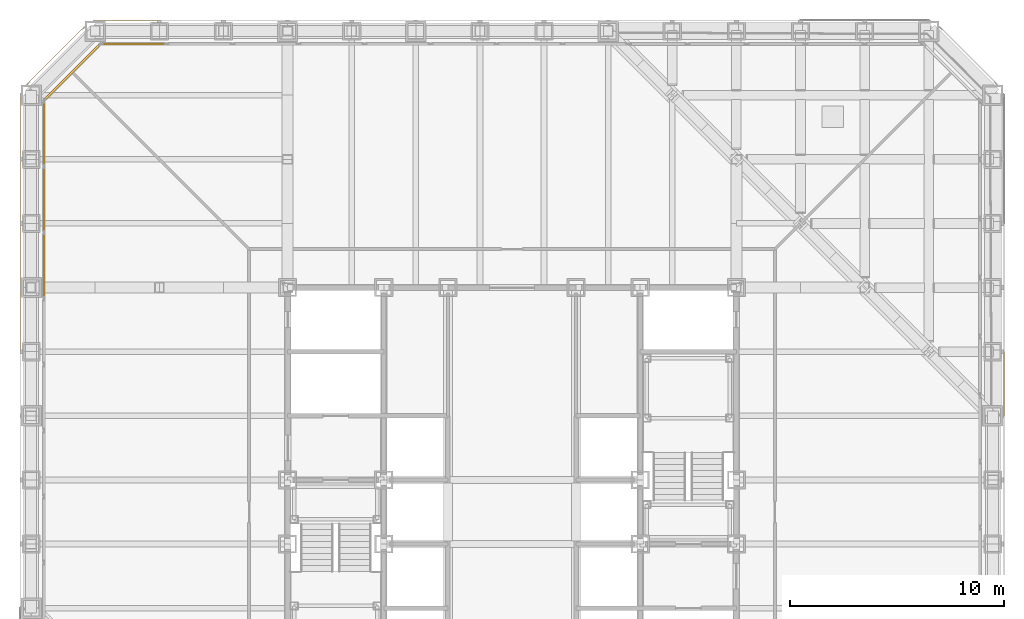
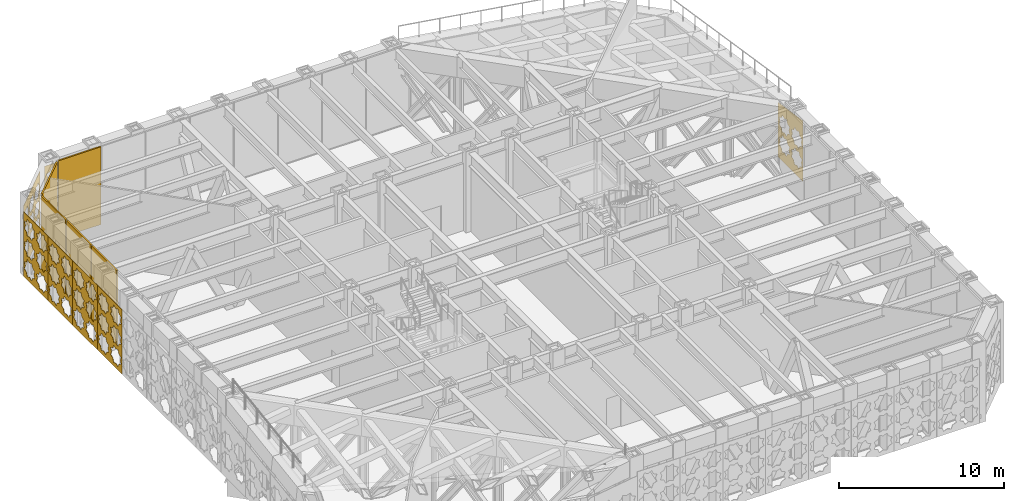
# One storey, part 28 of 31: 7 coverings, 5 shading devices, 3 elements without a shape of their own.
"""IFC4 building model written with IfcOpenShell, lengths in metres."""

import ifcopenshell
import ifcopenshell.guid

model = None  # the IFC model being written
_history = None  # IfcOwnerHistory: only IFC2X3 demands one
_inside = {}  # id of a spatial element -> (the spatial element, [elements in it])
_under = {}  # id of a project, library or spatial element -> (it, [spatial elements below it])
_declared = {}  # id of a project -> (the project, [libraries it declares])
_typed = {}  # id of a type object -> (the type object, [elements of that type])
_made_of = {}  # id of a material, layer set ... -> (it, [elements and type objects made of it])


def new_model(schema):
    """Start an empty IFC model of exactly this schema.

    Asked for "IFC4X3", IfcOpenShell would pick the latest addendum, in which some entities
    have other attributes; the version numbers below select the first issue.
    IFC2X3 requires an IfcOwnerHistory on every rooted entity: one is made here for all.
    """
    global model, _history
    if schema == "IFC4X3":
        model = ifcopenshell.file(schema_version=(4, 3, 0, 0))
    else:
        model = ifcopenshell.file(schema=schema)
    _inside.clear()
    _under.clear()
    _declared.clear()
    _typed.clear()
    _made_of.clear()
    _history = None
    if model.schema == "IFC2X3":
        org = make("IfcOrganization", Name="unknown")
        user = make(
            "IfcPersonAndOrganization",
            ThePerson=make("IfcPerson", FamilyName="unknown"),
            TheOrganization=org,
        )
        app = make(
            "IfcApplication",
            ApplicationDeveloper=org,
            Version="unknown",
            ApplicationFullName="unknown",
            ApplicationIdentifier="unknown",
        )
        _history = make(
            "IfcOwnerHistory",
            OwningUser=user,
            OwningApplication=app,
            ChangeAction="ADDED",
            CreationDate=0,
        )
    return model


def make(cls, **values):
    """One entity of the class cls with the attributes given. An attribute that is None is left unset."""
    return model.create_entity(
        cls, **{name: value for name, value in values.items() if value is not None}
    )


def rooted(cls, **values):
    """An entity with a GlobalId (a new one), such as an element, a storey or a relation."""
    return make(cls, GlobalId=ifcopenshell.guid.new(), OwnerHistory=_history, **values)


def si_unit(unit_type, name, prefix=None):
    """IfcSIUnit, for example si_unit("LENGTHUNIT", "METRE", prefix="MILLI")."""
    return make("IfcSIUnit", UnitType=unit_type, Prefix=prefix, Name=name)


def assignment(units):
    """IfcUnitAssignment: the units of a project."""
    return None if units is None else make("IfcUnitAssignment", Units=units)


def point(xyz):
    """IfcCartesianPoint."""
    return None if xyz is None else make("IfcCartesianPoint", Coordinates=xyz)


def direction(xyz):
    """IfcDirection."""
    return None if xyz is None else make("IfcDirection", DirectionRatios=xyz)


def frame(location, z_axis=None, x_axis=None):
    """IfcAxis2Placement3D, a coordinate frame: its origin and axes. An axis left out is left unset."""
    return make(
        "IfcAxis2Placement3D",
        Location=point(location),
        Axis=direction(z_axis),
        RefDirection=direction(x_axis),
    )


def frame_2d(location, x_axis=None):
    """IfcAxis2Placement2D, a coordinate frame in the plane: its origin and x axis."""
    return make(
        "IfcAxis2Placement2D", Location=point(location), RefDirection=direction(x_axis)
    )


def origin():
    """The frame at (0, 0, 0) with its axes left unset."""
    return frame((0.0, 0.0, 0.0))


def origin_2d():
    """The frame at (0, 0) in the plane with its x axis left unset."""
    return frame_2d((0.0, 0.0))


def place(relative_to, where):
    """IfcLocalPlacement: puts the frame where relative to a parent placement (None: the world)."""
    return make(
        "IfcLocalPlacement", PlacementRelTo=relative_to, RelativePlacement=where
    )


def context(
    kind, dimensions, precision=None, world=None, true_north=None, identifier=None
):
    """IfcGeometricRepresentationContext, for example the 3D "Model" context."""
    return make(
        "IfcGeometricRepresentationContext",
        ContextIdentifier=identifier,
        ContextType=kind,
        CoordinateSpaceDimension=dimensions,
        Precision=precision,
        WorldCoordinateSystem=world,
        TrueNorth=true_north,
    )


def subcontext(parent, identifier, kind, view, scale=None):
    """IfcGeometricRepresentationSubContext, for example "Body" below "Model"."""
    return make(
        "IfcGeometricRepresentationSubContext",
        ContextIdentifier=identifier,
        ContextType=kind,
        ParentContext=parent,
        TargetScale=scale,
        TargetView=view,
    )


def project(units=None, contexts=None):
    """IfcProject with its units and contexts."""
    return rooted(
        "IfcProject",
        Name="project",
        RepresentationContexts=contexts,
        UnitsInContext=assignment(units),
    )


def spatial(cls, under=None, at=None, **own):
    """A site, building, storey or space (cls), placed at a placement, below another one or the project."""
    s = rooted(cls, ObjectPlacement=at, **own)
    if under is not None:
        _under.setdefault(under.id(), (under, []))[1].append(s)
    return s


def polyline(points):
    """IfcPolyline through the points."""
    return make("IfcPolyline", Points=[point(p) for p in points])


def profile(cls, at=None, kind="AREA", **sizes):
    """A parametric profile (cls). Its sizes go by their IFC names, for example OverallWidth=200.0."""
    return make(cls, ProfileType=kind, Position=at, **sizes)


def rectangle(**sizes):
    """IfcRectangleProfileDef."""
    return profile("IfcRectangleProfileDef", **sizes)


def outline(outer, holes=None, kind="AREA"):
    """IfcArbitraryClosedProfileDef: a profile drawn as a closed curve; with holes, ...WithVoids."""
    if holes is None:
        return make("IfcArbitraryClosedProfileDef", ProfileType=kind, OuterCurve=outer)
    return make(
        "IfcArbitraryProfileDefWithVoids",
        ProfileType=kind,
        OuterCurve=outer,
        InnerCurves=holes,
    )


def extrude(swept, where, along, depth):
    """IfcExtrudedAreaSolid: the profile swept, set in the frame where, extruded along a direction by depth."""
    return make(
        "IfcExtrudedAreaSolid",
        SweptArea=swept,
        Position=where,
        ExtrudedDirection=direction(along),
        Depth=depth,
    )


def shape(context_of_items, identifier, shape_type, items):
    """IfcShapeRepresentation: the items that make up one representation, for example the "Body"."""
    return make(
        "IfcShapeRepresentation",
        ContextOfItems=context_of_items,
        RepresentationIdentifier=identifier,
        RepresentationType=shape_type,
        Items=items,
    )


def material(Name=None, Category=None):
    """IfcMaterial."""
    return make("IfcMaterial", Name=Name, Category=Category)


def layer(
    of_material, thickness, ventilated=None, Name=None, Category=None, Priority=None
):
    """IfcMaterialLayer: one layer of a wall or slab, of a material (None: an air gap)."""
    return make(
        "IfcMaterialLayer",
        Material=of_material,
        LayerThickness=thickness,
        IsVentilated=ventilated,
        Name=Name,
        Category=Category,
        Priority=Priority,
    )


def layer_set(layers, Name=None):
    """IfcMaterialLayerSet."""
    return make("IfcMaterialLayerSet", MaterialLayers=layers, LayerSetName=Name)


def made_of(thing, what):
    """Note that an element or type object is made of a material, layer set ...; save() writes the relation."""
    if what is not None:
        _made_of.setdefault(what.id(), (what, []))[1].append(thing)
    return thing


def type_object(cls, material=None, **own):
    """A type object (cls), such as IfcWallType, which elements share."""
    return made_of(rooted(cls, **own), material)


def element(
    cls,
    number,
    at=None,
    inside=None,
    cuts=None,
    type_object=None,
    material=None,
    context=None,
    identifier="Body",
    shape_type=None,
    held_by="IfcProductDefinitionShape",
    body=None,
    shapes=None,
    **own,
):
    """One element of the class cls, such as IfcWall. Its Tag is "e" and its number.

    at: its placement. inside: the storey or other place that contains it. cuts: it is an
    opening in that element (IfcRelVoidsElement). A single representation is given by context,
    identifier, shape_type and body (its items); several are given by shapes. held_by: the class
    of the entity that holds the representations. save() writes the other relations.
    """
    e = rooted(cls, Tag="e%d" % number, ObjectPlacement=at, **own)
    if body is not None:
        shapes = [shape(context, identifier, shape_type, body)]
    if shapes is not None:
        e.Representation = make(held_by, Representations=shapes)
    if inside is not None:
        _inside.setdefault(inside.id(), (inside, []))[1].append(e)
    if cuts is not None:
        rooted(
            "IfcRelVoidsElement", RelatingBuildingElement=cuts, RelatedOpeningElement=e
        )
    if type_object is not None:
        _typed.setdefault(type_object.id(), (type_object, []))[1].append(e)
    return made_of(e, material)


def aggregate(whole, parts):
    """IfcRelAggregates: a whole, such as a stair, and the parts it consists of."""
    return rooted("IfcRelAggregates", RelatingObject=whole, RelatedObjects=parts)


def save(model, path):
    """Write the relations noted so far, then the file.

    IfcRelAggregates (storeys below a building ...), IfcRelContainedInSpatialStructure (elements
    in a storey), IfcRelDefinesByType, IfcRelAssociatesMaterial and IfcRelDeclares: one each for
    every whole, place, type object, material and project.
    """
    for whole, parts in _under.values():
        aggregate(whole, parts)
    for where, things in _inside.values():
        rooted(
            "IfcRelContainedInSpatialStructure",
            RelatedElements=things,
            RelatingStructure=where,
        )
    for kind, things in _typed.values():
        rooted("IfcRelDefinesByType", RelatedObjects=things, RelatingType=kind)
    for what, things in _made_of.values():
        rooted("IfcRelAssociatesMaterial", RelatedObjects=things, RelatingMaterial=what)
    for by, libraries in _declared.values():
        rooted("IfcRelDeclares", RelatingContext=by, RelatedDefinitions=libraries)
    model.write(path)


model = new_model("IFC4")

# Units and contexts
model_context = context("Model", 3, precision=1e-05, world=origin(), true_north=direction((0.0, 1.0)))
body_context = subcontext(model_context, "Body", "Model", "MODEL_VIEW")
ifc_project = project(units=[si_unit("LENGTHUNIT", "METRE"), si_unit("AREAUNIT", "SQUARE_METRE"), si_unit("VOLUMEUNIT", "CUBIC_METRE"), si_unit("PLANEANGLEUNIT", "RADIAN"), si_unit("MASSUNIT", "GRAM", prefix="KILO")], contexts=[model_context])

# Site, building, storey
site_placement = place(None, origin())
site = spatial("IfcSite", under=ifc_project, at=site_placement, CompositionType="ELEMENT")
building_placement = place(site_placement, origin())
building = spatial("IfcBuilding", under=site, at=building_placement, Name="Chuquiago Exchange Tower", CompositionType="ELEMENT")
storey_placement = place(building_placement, frame((0.0, 0.0, 96.300048828125)))
storey = spatial("IfcBuildingStorey", under=building, at=storey_placement, Name="L20", CompositionType="ELEMENT", Elevation=96.300048828125)

# Curtain wall, shading device
ifc_material_1 = material(Name="Aluminium curtain wall system", Category="aluminium")
ifc_layer_1 = layer(ifc_material_1, 0.199951171875)
ifc_layer_set_1 = layer_set([ifc_layer_1], Name="CW6 plant floor louvre wall")
curtain_wall_type = type_object("IfcCurtainWallType", Name="CW6 plant floor louvre wall", PredefinedType="NOTDEFINED", material=ifc_layer_set_1)
curtain_wall_1_placement = place(storey_placement, origin())
curtain_wall_1 = element("IfcCurtainWall", 1, at=curtain_wall_1_placement, inside=storey, type_object=curtain_wall_type, Name="CW6 curtain wall L20", PredefinedType="NOTDEFINED")
ifc_material_2 = material(Name="Aluminium louvre", Category="aluminium")
ifc_layer_2 = layer(ifc_material_2, 0.10009765625)
ifc_layer_set_2 = layer_set([ifc_layer_2], Name="CW6-P louvre panel 100")
shading_device_type = type_object("IfcShadingDeviceType", Name="CW6-P louvre panel 100", PredefinedType="USERDEFINED", material=ifc_layer_set_2)
shading_device_1_placement = place(storey_placement, frame((4.811279296875, 44.39990234375, 0.0751953125), z_axis=(0.0, 0.0, 1.0), x_axis=(-1.0, 0.0, 0.0)))
shading_device_1 = element("IfcShadingDevice", 2, at=shading_device_1_placement, type_object=shading_device_type, Name="CW6 panel 8.1", ObjectType="LOUVER", PredefinedType="USERDEFINED", context=body_context, shape_type="SweptSolid", body=[
    extrude(rectangle(XDim=2.9755859375, YDim=0.10009765625, at=origin_2d()), origin(), (0.0, 0.0, 1.0), 5.764892578125),
])
aggregate(curtain_wall_1, [shading_device_1])

curtain_wall_2_placement = place(storey_placement, origin())
curtain_wall_2 = element("IfcCurtainWall", 3, at=curtain_wall_2_placement, inside=storey, type_object=curtain_wall_type, Name="CW6 curtain wall L20", PredefinedType="NOTDEFINED")
shading_device_2_placement = place(storey_placement, frame((1.92431640625, 43.07568359375, 0.0751953125), z_axis=(0.0, 0.0, 1.0), x_axis=(-0.707106781187, -0.707106781187, 0.0)))
shading_device_2 = element("IfcShadingDevice", 4, at=shading_device_2_placement, type_object=shading_device_type, Name="CW6 panel 1.1", ObjectType="LOUVER", PredefinedType="USERDEFINED", context=body_context, shape_type="SweptSolid", body=[
    extrude(rectangle(XDim=3.595458984375, YDim=0.10009765625, at=origin_2d()), origin(), (0.0, 0.0, 1.0), 5.764892578125),
])
aggregate(curtain_wall_2, [shading_device_2])

# Curtain wall, shading devices
curtain_wall_3_placement = place(storey_placement, origin())
curtain_wall_3 = element("IfcCurtainWall", 5, at=curtain_wall_3_placement, inside=storey, type_object=curtain_wall_type, Name="CW6 curtain wall L20", PredefinedType="NOTDEFINED")
shading_device_3_placement = place(storey_placement, frame((0.60009765625, 40.188720703125, 0.0751953125), z_axis=(0.0, 0.0, 1.0), x_axis=(0.0, -1.0, 0.0)))
shading_device_3 = element("IfcShadingDevice", 6, at=shading_device_3_placement, type_object=shading_device_type, Name="CW6 panel 1.1", ObjectType="LOUVER", PredefinedType="USERDEFINED", context=body_context, shape_type="SweptSolid", body=[
    extrude(rectangle(XDim=2.9755859375, YDim=0.10009765625, at=origin_2d()), origin(), (0.0, 0.0, 1.0), 5.764892578125),
])
shading_device_4_placement = place(storey_placement, frame((0.60009765625, 37.119384765625, 0.0751953125), z_axis=(0.0, 0.0, 1.0), x_axis=(0.0, -1.0, 0.0)))
shading_device_4 = element("IfcShadingDevice", 7, at=shading_device_4_placement, type_object=shading_device_type, Name="CW6 panel 2.1", ObjectType="LOUVER", PredefinedType="USERDEFINED", context=body_context, shape_type="SweptSolid", body=[
    extrude(rectangle(XDim=3.01318359375, YDim=0.10009765625, at=origin_2d()), origin(), (0.0, 0.0, 1.0), 5.764892578125),
])
shading_device_5_placement = place(storey_placement, frame((0.60009765625, 34.03125, 0.0751953125), z_axis=(0.0, 0.0, 1.0), x_axis=(0.0, -1.0, 0.0)))
shading_device_5 = element("IfcShadingDevice", 8, at=shading_device_5_placement, type_object=shading_device_type, Name="CW6 panel 3.1", ObjectType="LOUVER", PredefinedType="USERDEFINED", context=body_context, shape_type="SweptSolid", body=[
    extrude(rectangle(XDim=3.01318359375, YDim=0.10009765625, at=origin_2d()), origin(), (0.0, 0.0, 1.0), 5.764892578125),
])
aggregate(curtain_wall_3, [shading_device_3, shading_device_4, shading_device_5])

# Coverings
ifc_material_3 = material(Name="Anodised aluminium, pale", Category="aluminium")
ifc_layer_3 = layer(ifc_material_3, 0.02001953125)
ifc_layer_set_3 = layer_set([ifc_layer_3], Name="GC1 girih cladding panel 20")
covering_type_1 = type_object("IfcCoveringType", Name="GC1 girih cladding panel 20", PredefinedType="CLADDING", material=ifc_layer_set_3)
covering_1_placement = place(storey_placement, frame((45.5, 27.0048828125, 0.050048828125), z_axis=(0.0, 0.0, 1.0), x_axis=(0.0, 1.0, 0.0)))
element("IfcCovering", 9, at=covering_1_placement, inside=storey, type_object=covering_type_1, Name="Girih cladding panel L20 E 9", PredefinedType="CLADDING", context=body_context, shape_type="SweptSolid", body=[
    extrude(outline(polyline([(0.0, 0.0), (2.989990234375, 0.0), (2.989990234375, 4.0498046875), (0.0, 4.4990234375), (0.0, 0.0)]), holes=[polyline([(1.27392578125, 1.27734375), (1.3828125, 1.54052734375), (1.11962890625, 1.6494140625), (1.0107421875, 1.91259765625), (0.74755859375, 1.8037109375), (0.484375, 1.91259765625), (0.375244140625, 1.6494140625), (0.112060546875, 1.54052734375), (0.22119140625, 1.27734375), (0.112060546875, 1.01416015625), (0.375244140625, 0.9052734375), (0.484375, 0.64208984375), (0.74755859375, 0.7509765625), (1.0107421875, 0.64208984375), (1.11962890625, 0.9052734375), (1.3828125, 1.01416015625), (1.27392578125, 1.27734375)]), polyline([(2.768798828125, 1.27734375), (2.8779296875, 1.54052734375), (2.61474609375, 1.6494140625), (2.505615234375, 1.91259765625), (2.242431640625, 1.8037109375), (1.979248046875, 1.91259765625), (1.870361328125, 1.6494140625), (1.607177734375, 1.54052734375), (1.716064453125, 1.27734375), (1.607177734375, 1.01416015625), (1.870361328125, 0.9052734375), (1.979248046875, 0.64208984375), (2.242431640625, 0.7509765625), (2.505615234375, 0.64208984375), (2.61474609375, 0.9052734375), (2.8779296875, 1.01416015625), (2.768798828125, 1.27734375)]), polyline([(1.27392578125, 2.7724609375), (1.3828125, 3.035400390625), (1.11962890625, 3.14453125), (1.0107421875, 3.40771484375), (0.74755859375, 3.298583984375), (0.484375, 3.40771484375), (0.375244140625, 3.14453125), (0.112060546875, 3.035400390625), (0.22119140625, 2.7724609375), (0.112060546875, 2.50927734375), (0.375244140625, 2.400146484375), (0.484375, 2.136962890625), (0.74755859375, 2.24609375), (1.0107421875, 2.136962890625), (1.11962890625, 2.400146484375), (1.3828125, 2.50927734375), (1.27392578125, 2.7724609375)]), polyline([(2.768798828125, 2.7724609375), (2.8779296875, 3.035400390625), (2.61474609375, 3.14453125), (2.505615234375, 3.40771484375), (2.242431640625, 3.298583984375), (1.979248046875, 3.40771484375), (1.870361328125, 3.14453125), (1.607177734375, 3.035400390625), (1.716064453125, 2.7724609375), (1.607177734375, 2.50927734375), (1.870361328125, 2.400146484375), (1.979248046875, 2.136962890625), (2.242431640625, 2.24609375), (2.505615234375, 2.136962890625), (2.61474609375, 2.400146484375), (2.8779296875, 2.50927734375), (2.768798828125, 2.7724609375)])]), frame((0.0, 0.0, 0.0), z_axis=(0.0, -1.0, 0.0), x_axis=(1.0, 0.0, 0.0)), (0.0, 0.0, 1.0), 0.02001953125),
])
covering_2_placement = place(storey_placement, frame((5.9951171875, 45.5, 0.050048828125), z_axis=(0.0, 0.0, 1.0), x_axis=(-1.0, 0.0, 0.0)))
element("IfcCovering", 10, at=covering_2_placement, inside=storey, type_object=covering_type_1, Name="Girih cladding panel L20 N 13", PredefinedType="CLADDING", context=body_context, shape_type="SweptSolid", body=[
    extrude(outline(polyline([(0.0, 0.0), (2.989990234375, 0.0), (2.989990234375, 4.789794921875), (0.0, 4.789794921875), (0.0, 0.0)]), holes=[polyline([(1.27392578125, 0.89990234375), (1.3828125, 1.1630859375), (1.11962890625, 1.272216796875), (1.0107421875, 1.535400390625), (0.74755859375, 1.42626953125), (0.484375, 1.535400390625), (0.375244140625, 1.272216796875), (0.112060546875, 1.1630859375), (0.22119140625, 0.89990234375), (0.112060546875, 0.63671875), (0.375244140625, 0.527587890625), (0.484375, 0.264404296875), (0.74755859375, 0.37353515625), (1.0107421875, 0.264404296875), (1.11962890625, 0.527587890625), (1.3828125, 0.63671875), (1.27392578125, 0.89990234375)]), polyline([(2.768798828125, 0.89990234375), (2.8779296875, 1.1630859375), (2.61474609375, 1.272216796875), (2.505615234375, 1.535400390625), (2.242431640625, 1.42626953125), (1.979248046875, 1.535400390625), (1.870361328125, 1.272216796875), (1.607177734375, 1.1630859375), (1.716064453125, 0.89990234375), (1.607177734375, 0.63671875), (1.870361328125, 0.527587890625), (1.979248046875, 0.264404296875), (2.242431640625, 0.37353515625), (2.505615234375, 0.264404296875), (2.61474609375, 0.527587890625), (2.8779296875, 0.63671875), (2.768798828125, 0.89990234375)]), polyline([(1.27392578125, 2.39501953125), (1.3828125, 2.658203125), (1.11962890625, 2.76708984375), (1.0107421875, 3.0302734375), (0.74755859375, 2.92138671875), (0.484375, 3.0302734375), (0.375244140625, 2.76708984375), (0.112060546875, 2.658203125), (0.22119140625, 2.39501953125), (0.112060546875, 2.131591796875), (0.375244140625, 2.022705078125), (0.484375, 1.759521484375), (0.74755859375, 1.868408203125), (1.0107421875, 1.759521484375), (1.11962890625, 2.022705078125), (1.3828125, 2.131591796875), (1.27392578125, 2.39501953125)]), polyline([(2.768798828125, 2.39501953125), (2.8779296875, 2.658203125), (2.61474609375, 2.76708984375), (2.505615234375, 3.0302734375), (2.242431640625, 2.92138671875), (1.979248046875, 3.0302734375), (1.870361328125, 2.76708984375), (1.607177734375, 2.658203125), (1.716064453125, 2.39501953125), (1.607177734375, 2.131591796875), (1.870361328125, 2.022705078125), (1.979248046875, 1.759521484375), (2.242431640625, 1.868408203125), (2.505615234375, 1.759521484375), (2.61474609375, 2.022705078125), (2.8779296875, 2.131591796875), (2.768798828125, 2.39501953125)]), polyline([(1.27392578125, 3.889892578125), (1.3828125, 4.153076171875), (1.11962890625, 4.26220703125), (1.0107421875, 4.525390625), (0.74755859375, 4.416259765625), (0.484375, 4.525390625), (0.375244140625, 4.26220703125), (0.112060546875, 4.153076171875), (0.22119140625, 3.889892578125), (0.112060546875, 3.626708984375), (0.375244140625, 3.517822265625), (0.484375, 3.25439453125), (0.74755859375, 3.363525390625), (1.0107421875, 3.25439453125), (1.11962890625, 3.517822265625), (1.3828125, 3.626708984375), (1.27392578125, 3.889892578125)]), polyline([(2.768798828125, 3.889892578125), (2.8779296875, 4.153076171875), (2.61474609375, 4.26220703125), (2.505615234375, 4.525390625), (2.242431640625, 4.416259765625), (1.979248046875, 4.525390625), (1.870361328125, 4.26220703125), (1.607177734375, 4.153076171875), (1.716064453125, 3.889892578125), (1.607177734375, 3.626708984375), (1.870361328125, 3.517822265625), (1.979248046875, 3.25439453125), (2.242431640625, 3.363525390625), (2.505615234375, 3.25439453125), (2.61474609375, 3.517822265625), (2.8779296875, 3.626708984375), (2.768798828125, 3.889892578125)])]), frame((0.0, 0.0, 0.0), z_axis=(0.0, -1.0, 0.0), x_axis=(1.0, 0.0, 0.0)), (0.0, 0.0, 1.0), 0.02001953125),
])
covering_3_placement = place(storey_placement, frame((-0.5, 41.9951171875, 0.050048828125), z_axis=(0.0, 0.0, 1.0), x_axis=(0.0, -1.0, 0.0)))
element("IfcCovering", 11, at=covering_3_placement, inside=storey, type_object=covering_type_1, Name="Girih cladding panel L20 W 1", PredefinedType="CLADDING", context=body_context, shape_type="SweptSolid", body=[
    extrude(outline(polyline([(0.0, 0.0), (2.989990234375, 0.0), (2.989990234375, 4.789794921875), (0.0, 4.789794921875), (0.0, 0.0)]), holes=[polyline([(1.27392578125, 0.89990234375), (1.3828125, 1.1630859375), (1.11962890625, 1.272216796875), (1.0107421875, 1.535400390625), (0.74755859375, 1.42626953125), (0.484375, 1.535400390625), (0.375244140625, 1.272216796875), (0.112060546875, 1.1630859375), (0.22119140625, 0.89990234375), (0.112060546875, 0.63671875), (0.375244140625, 0.527587890625), (0.484375, 0.264404296875), (0.74755859375, 0.37353515625), (1.0107421875, 0.264404296875), (1.11962890625, 0.527587890625), (1.3828125, 0.63671875), (1.27392578125, 0.89990234375)]), polyline([(2.768798828125, 0.89990234375), (2.8779296875, 1.1630859375), (2.61474609375, 1.272216796875), (2.505615234375, 1.535400390625), (2.242431640625, 1.42626953125), (1.979248046875, 1.535400390625), (1.870361328125, 1.272216796875), (1.607177734375, 1.1630859375), (1.716064453125, 0.89990234375), (1.607177734375, 0.63671875), (1.870361328125, 0.527587890625), (1.979248046875, 0.264404296875), (2.242431640625, 0.37353515625), (2.505615234375, 0.264404296875), (2.61474609375, 0.527587890625), (2.8779296875, 0.63671875), (2.768798828125, 0.89990234375)]), polyline([(1.27392578125, 2.39501953125), (1.3828125, 2.658203125), (1.11962890625, 2.76708984375), (1.0107421875, 3.0302734375), (0.74755859375, 2.92138671875), (0.484375, 3.0302734375), (0.375244140625, 2.76708984375), (0.112060546875, 2.658203125), (0.22119140625, 2.39501953125), (0.112060546875, 2.131591796875), (0.375244140625, 2.022705078125), (0.484375, 1.759521484375), (0.74755859375, 1.868408203125), (1.0107421875, 1.759521484375), (1.11962890625, 2.022705078125), (1.3828125, 2.131591796875), (1.27392578125, 2.39501953125)]), polyline([(2.768798828125, 2.39501953125), (2.8779296875, 2.658203125), (2.61474609375, 2.76708984375), (2.505615234375, 3.0302734375), (2.242431640625, 2.92138671875), (1.979248046875, 3.0302734375), (1.870361328125, 2.76708984375), (1.607177734375, 2.658203125), (1.716064453125, 2.39501953125), (1.607177734375, 2.131591796875), (1.870361328125, 2.022705078125), (1.979248046875, 1.759521484375), (2.242431640625, 1.868408203125), (2.505615234375, 1.759521484375), (2.61474609375, 2.022705078125), (2.8779296875, 2.131591796875), (2.768798828125, 2.39501953125)]), polyline([(1.27392578125, 3.889892578125), (1.3828125, 4.153076171875), (1.11962890625, 4.26220703125), (1.0107421875, 4.525390625), (0.74755859375, 4.416259765625), (0.484375, 4.525390625), (0.375244140625, 4.26220703125), (0.112060546875, 4.153076171875), (0.22119140625, 3.889892578125), (0.112060546875, 3.626708984375), (0.375244140625, 3.517822265625), (0.484375, 3.25439453125), (0.74755859375, 3.363525390625), (1.0107421875, 3.25439453125), (1.11962890625, 3.517822265625), (1.3828125, 3.626708984375), (1.27392578125, 3.889892578125)]), polyline([(2.768798828125, 3.889892578125), (2.8779296875, 4.153076171875), (2.61474609375, 4.26220703125), (2.505615234375, 4.525390625), (2.242431640625, 4.416259765625), (1.979248046875, 4.525390625), (1.870361328125, 4.26220703125), (1.607177734375, 4.153076171875), (1.716064453125, 3.889892578125), (1.607177734375, 3.626708984375), (1.870361328125, 3.517822265625), (1.979248046875, 3.25439453125), (2.242431640625, 3.363525390625), (2.505615234375, 3.25439453125), (2.61474609375, 3.517822265625), (2.8779296875, 3.626708984375), (2.768798828125, 3.889892578125)])]), frame((0.0, 0.0, 0.0), z_axis=(0.0, -1.0, 0.0), x_axis=(1.0, 0.0, 0.0)), (0.0, 0.0, 1.0), 0.02001953125),
])
covering_4_placement = place(storey_placement, frame((-0.5, 38.9951171875, 0.050048828125), z_axis=(0.0, 0.0, 1.0), x_axis=(0.0, -1.0, 0.0)))
element("IfcCovering", 12, at=covering_4_placement, inside=storey, type_object=covering_type_1, Name="Girih cladding panel L20 W 2", PredefinedType="CLADDING", context=body_context, shape_type="SweptSolid", body=[
    extrude(outline(polyline([(0.0, 0.0), (2.989990234375, 0.0), (2.989990234375, 4.789794921875), (0.0, 4.789794921875), (0.0, 0.0)]), holes=[polyline([(1.27392578125, 0.89990234375), (1.3828125, 1.1630859375), (1.11962890625, 1.272216796875), (1.0107421875, 1.535400390625), (0.74755859375, 1.42626953125), (0.484375, 1.535400390625), (0.375244140625, 1.272216796875), (0.112060546875, 1.1630859375), (0.22119140625, 0.89990234375), (0.112060546875, 0.63671875), (0.375244140625, 0.527587890625), (0.484375, 0.264404296875), (0.74755859375, 0.37353515625), (1.0107421875, 0.264404296875), (1.11962890625, 0.527587890625), (1.3828125, 0.63671875), (1.27392578125, 0.89990234375)]), polyline([(2.768798828125, 0.89990234375), (2.8779296875, 1.1630859375), (2.61474609375, 1.272216796875), (2.505615234375, 1.535400390625), (2.242431640625, 1.42626953125), (1.979248046875, 1.535400390625), (1.870361328125, 1.272216796875), (1.607177734375, 1.1630859375), (1.716064453125, 0.89990234375), (1.607177734375, 0.63671875), (1.870361328125, 0.527587890625), (1.979248046875, 0.264404296875), (2.242431640625, 0.37353515625), (2.505615234375, 0.264404296875), (2.61474609375, 0.527587890625), (2.8779296875, 0.63671875), (2.768798828125, 0.89990234375)]), polyline([(1.27392578125, 2.39501953125), (1.3828125, 2.658203125), (1.11962890625, 2.76708984375), (1.0107421875, 3.0302734375), (0.74755859375, 2.92138671875), (0.484375, 3.0302734375), (0.375244140625, 2.76708984375), (0.112060546875, 2.658203125), (0.22119140625, 2.39501953125), (0.112060546875, 2.131591796875), (0.375244140625, 2.022705078125), (0.484375, 1.759521484375), (0.74755859375, 1.868408203125), (1.0107421875, 1.759521484375), (1.11962890625, 2.022705078125), (1.3828125, 2.131591796875), (1.27392578125, 2.39501953125)]), polyline([(2.768798828125, 2.39501953125), (2.8779296875, 2.658203125), (2.61474609375, 2.76708984375), (2.505615234375, 3.0302734375), (2.242431640625, 2.92138671875), (1.979248046875, 3.0302734375), (1.870361328125, 2.76708984375), (1.607177734375, 2.658203125), (1.716064453125, 2.39501953125), (1.607177734375, 2.131591796875), (1.870361328125, 2.022705078125), (1.979248046875, 1.759521484375), (2.242431640625, 1.868408203125), (2.505615234375, 1.759521484375), (2.61474609375, 2.022705078125), (2.8779296875, 2.131591796875), (2.768798828125, 2.39501953125)]), polyline([(1.27392578125, 3.889892578125), (1.3828125, 4.153076171875), (1.11962890625, 4.26220703125), (1.0107421875, 4.525390625), (0.74755859375, 4.416259765625), (0.484375, 4.525390625), (0.375244140625, 4.26220703125), (0.112060546875, 4.153076171875), (0.22119140625, 3.889892578125), (0.112060546875, 3.626708984375), (0.375244140625, 3.517822265625), (0.484375, 3.25439453125), (0.74755859375, 3.363525390625), (1.0107421875, 3.25439453125), (1.11962890625, 3.517822265625), (1.3828125, 3.626708984375), (1.27392578125, 3.889892578125)]), polyline([(2.768798828125, 3.889892578125), (2.8779296875, 4.153076171875), (2.61474609375, 4.26220703125), (2.505615234375, 4.525390625), (2.242431640625, 4.416259765625), (1.979248046875, 4.525390625), (1.870361328125, 4.26220703125), (1.607177734375, 4.153076171875), (1.716064453125, 3.889892578125), (1.607177734375, 3.626708984375), (1.870361328125, 3.517822265625), (1.979248046875, 3.25439453125), (2.242431640625, 3.363525390625), (2.505615234375, 3.25439453125), (2.61474609375, 3.517822265625), (2.8779296875, 3.626708984375), (2.768798828125, 3.889892578125)])]), frame((0.0, 0.0, 0.0), z_axis=(0.0, -1.0, 0.0), x_axis=(1.0, 0.0, 0.0)), (0.0, 0.0, 1.0), 0.02001953125),
])
covering_5_placement = place(storey_placement, frame((-0.5, 35.9951171875, 0.050048828125), z_axis=(0.0, 0.0, 1.0), x_axis=(0.0, -1.0, 0.0)))
element("IfcCovering", 13, at=covering_5_placement, inside=storey, type_object=covering_type_1, Name="Girih cladding panel L20 W 3", PredefinedType="CLADDING", context=body_context, shape_type="SweptSolid", body=[
    extrude(outline(polyline([(0.0, 0.0), (2.989990234375, 0.0), (2.989990234375, 4.789794921875), (0.0, 4.789794921875), (0.0, 0.0)]), holes=[polyline([(1.27392578125, 0.89990234375), (1.3828125, 1.1630859375), (1.11962890625, 1.272216796875), (1.0107421875, 1.535400390625), (0.74755859375, 1.42626953125), (0.484375, 1.535400390625), (0.375244140625, 1.272216796875), (0.112060546875, 1.1630859375), (0.22119140625, 0.89990234375), (0.112060546875, 0.63671875), (0.375244140625, 0.527587890625), (0.484375, 0.264404296875), (0.74755859375, 0.37353515625), (1.0107421875, 0.264404296875), (1.11962890625, 0.527587890625), (1.3828125, 0.63671875), (1.27392578125, 0.89990234375)]), polyline([(2.768798828125, 0.89990234375), (2.8779296875, 1.1630859375), (2.61474609375, 1.272216796875), (2.505615234375, 1.535400390625), (2.242431640625, 1.42626953125), (1.979248046875, 1.535400390625), (1.870361328125, 1.272216796875), (1.607177734375, 1.1630859375), (1.716064453125, 0.89990234375), (1.607177734375, 0.63671875), (1.870361328125, 0.527587890625), (1.979248046875, 0.264404296875), (2.242431640625, 0.37353515625), (2.505615234375, 0.264404296875), (2.61474609375, 0.527587890625), (2.8779296875, 0.63671875), (2.768798828125, 0.89990234375)]), polyline([(1.27392578125, 2.39501953125), (1.3828125, 2.658203125), (1.11962890625, 2.76708984375), (1.0107421875, 3.0302734375), (0.74755859375, 2.92138671875), (0.484375, 3.0302734375), (0.375244140625, 2.76708984375), (0.112060546875, 2.658203125), (0.22119140625, 2.39501953125), (0.112060546875, 2.131591796875), (0.375244140625, 2.022705078125), (0.484375, 1.759521484375), (0.74755859375, 1.868408203125), (1.0107421875, 1.759521484375), (1.11962890625, 2.022705078125), (1.3828125, 2.131591796875), (1.27392578125, 2.39501953125)]), polyline([(2.768798828125, 2.39501953125), (2.8779296875, 2.658203125), (2.61474609375, 2.76708984375), (2.505615234375, 3.0302734375), (2.242431640625, 2.92138671875), (1.979248046875, 3.0302734375), (1.870361328125, 2.76708984375), (1.607177734375, 2.658203125), (1.716064453125, 2.39501953125), (1.607177734375, 2.131591796875), (1.870361328125, 2.022705078125), (1.979248046875, 1.759521484375), (2.242431640625, 1.868408203125), (2.505615234375, 1.759521484375), (2.61474609375, 2.022705078125), (2.8779296875, 2.131591796875), (2.768798828125, 2.39501953125)]), polyline([(1.27392578125, 3.889892578125), (1.3828125, 4.153076171875), (1.11962890625, 4.26220703125), (1.0107421875, 4.525390625), (0.74755859375, 4.416259765625), (0.484375, 4.525390625), (0.375244140625, 4.26220703125), (0.112060546875, 4.153076171875), (0.22119140625, 3.889892578125), (0.112060546875, 3.626708984375), (0.375244140625, 3.517822265625), (0.484375, 3.25439453125), (0.74755859375, 3.363525390625), (1.0107421875, 3.25439453125), (1.11962890625, 3.517822265625), (1.3828125, 3.626708984375), (1.27392578125, 3.889892578125)]), polyline([(2.768798828125, 3.889892578125), (2.8779296875, 4.153076171875), (2.61474609375, 4.26220703125), (2.505615234375, 4.525390625), (2.242431640625, 4.416259765625), (1.979248046875, 4.525390625), (1.870361328125, 4.26220703125), (1.607177734375, 4.153076171875), (1.716064453125, 3.889892578125), (1.607177734375, 3.626708984375), (1.870361328125, 3.517822265625), (1.979248046875, 3.25439453125), (2.242431640625, 3.363525390625), (2.505615234375, 3.25439453125), (2.61474609375, 3.517822265625), (2.8779296875, 3.626708984375), (2.768798828125, 3.889892578125)])]), frame((0.0, 0.0, 0.0), z_axis=(0.0, -1.0, 0.0), x_axis=(1.0, 0.0, 0.0)), (0.0, 0.0, 1.0), 0.02001953125),
])
covering_6_placement = place(storey_placement, frame((-0.5, 32.9951171875, 0.050048828125), z_axis=(0.0, 0.0, 1.0), x_axis=(0.0, -1.0, 0.0)))
element("IfcCovering", 14, at=covering_6_placement, inside=storey, type_object=covering_type_1, Name="Girih cladding panel L20 W 4", PredefinedType="CLADDING", context=body_context, shape_type="SweptSolid", body=[
    extrude(outline(polyline([(0.0, 0.0), (2.989990234375, 0.0), (2.989990234375, 4.789794921875), (0.0, 4.789794921875), (0.0, 0.0)]), holes=[polyline([(1.27392578125, 0.89990234375), (1.3828125, 1.1630859375), (1.11962890625, 1.272216796875), (1.0107421875, 1.535400390625), (0.74755859375, 1.42626953125), (0.484375, 1.535400390625), (0.375244140625, 1.272216796875), (0.112060546875, 1.1630859375), (0.22119140625, 0.89990234375), (0.112060546875, 0.63671875), (0.375244140625, 0.527587890625), (0.484375, 0.264404296875), (0.74755859375, 0.37353515625), (1.0107421875, 0.264404296875), (1.11962890625, 0.527587890625), (1.3828125, 0.63671875), (1.27392578125, 0.89990234375)]), polyline([(2.768798828125, 0.89990234375), (2.8779296875, 1.1630859375), (2.61474609375, 1.272216796875), (2.505615234375, 1.535400390625), (2.242431640625, 1.42626953125), (1.979248046875, 1.535400390625), (1.870361328125, 1.272216796875), (1.607177734375, 1.1630859375), (1.716064453125, 0.89990234375), (1.607177734375, 0.63671875), (1.870361328125, 0.527587890625), (1.979248046875, 0.264404296875), (2.242431640625, 0.37353515625), (2.505615234375, 0.264404296875), (2.61474609375, 0.527587890625), (2.8779296875, 0.63671875), (2.768798828125, 0.89990234375)]), polyline([(1.27392578125, 2.39501953125), (1.3828125, 2.658203125), (1.11962890625, 2.76708984375), (1.0107421875, 3.0302734375), (0.74755859375, 2.92138671875), (0.484375, 3.0302734375), (0.375244140625, 2.76708984375), (0.112060546875, 2.658203125), (0.22119140625, 2.39501953125), (0.112060546875, 2.131591796875), (0.375244140625, 2.022705078125), (0.484375, 1.759521484375), (0.74755859375, 1.868408203125), (1.0107421875, 1.759521484375), (1.11962890625, 2.022705078125), (1.3828125, 2.131591796875), (1.27392578125, 2.39501953125)]), polyline([(2.768798828125, 2.39501953125), (2.8779296875, 2.658203125), (2.61474609375, 2.76708984375), (2.505615234375, 3.0302734375), (2.242431640625, 2.92138671875), (1.979248046875, 3.0302734375), (1.870361328125, 2.76708984375), (1.607177734375, 2.658203125), (1.716064453125, 2.39501953125), (1.607177734375, 2.131591796875), (1.870361328125, 2.022705078125), (1.979248046875, 1.759521484375), (2.242431640625, 1.868408203125), (2.505615234375, 1.759521484375), (2.61474609375, 2.022705078125), (2.8779296875, 2.131591796875), (2.768798828125, 2.39501953125)]), polyline([(1.27392578125, 3.889892578125), (1.3828125, 4.153076171875), (1.11962890625, 4.26220703125), (1.0107421875, 4.525390625), (0.74755859375, 4.416259765625), (0.484375, 4.525390625), (0.375244140625, 4.26220703125), (0.112060546875, 4.153076171875), (0.22119140625, 3.889892578125), (0.112060546875, 3.626708984375), (0.375244140625, 3.517822265625), (0.484375, 3.25439453125), (0.74755859375, 3.363525390625), (1.0107421875, 3.25439453125), (1.11962890625, 3.517822265625), (1.3828125, 3.626708984375), (1.27392578125, 3.889892578125)]), polyline([(2.768798828125, 3.889892578125), (2.8779296875, 4.153076171875), (2.61474609375, 4.26220703125), (2.505615234375, 4.525390625), (2.242431640625, 4.416259765625), (1.979248046875, 4.525390625), (1.870361328125, 4.26220703125), (1.607177734375, 4.153076171875), (1.716064453125, 3.889892578125), (1.607177734375, 3.626708984375), (1.870361328125, 3.517822265625), (1.979248046875, 3.25439453125), (2.242431640625, 3.363525390625), (2.505615234375, 3.25439453125), (2.61474609375, 3.517822265625), (2.8779296875, 3.626708984375), (2.768798828125, 3.889892578125)])]), frame((0.0, 0.0, 0.0), z_axis=(0.0, -1.0, 0.0), x_axis=(1.0, 0.0, 0.0)), (0.0, 0.0, 1.0), 0.02001953125),
])
ifc_material_4 = material(Name="Anodised aluminium, pale", Category="aluminium")
ifc_layer_4 = layer(ifc_material_4, 0.02001953125)
ifc_layer_set_4 = layer_set([ifc_layer_4], Name="GC6 girih cladding panel 20")
covering_type_2 = type_object("IfcCoveringType", Name="GC6 girih cladding panel 20", PredefinedType="CLADDING", material=ifc_layer_set_4)
covering_7_placement = place(storey_placement, frame((2.5, 45.20703125, 0.050048828125), z_axis=(0.0, 0.0, 1.0), x_axis=(-0.707106781187, -0.707106781187, 0.0)))
element("IfcCovering", 15, at=covering_7_placement, inside=storey, type_object=covering_type_2, Name="Girih cladding panel L20 NW 1", PredefinedType="CLADDING", context=body_context, shape_type="SweptSolid", body=[
    extrude(outline(polyline([(0.0, 0.0), (3.828369140625, 0.0), (3.828369140625, 4.789794921875), (0.0, 4.789794921875), (0.0, 0.0)]), holes=[polyline([(1.08740234375, 1.118896484375), (1.180419921875, 1.343505859375), (0.955810546875, 1.4365234375), (0.86279296875, 1.6611328125), (0.63818359375, 1.568115234375), (0.413330078125, 1.6611328125), (0.3203125, 1.4365234375), (0.095703125, 1.343505859375), (0.188720703125, 1.118896484375), (0.095703125, 0.894287109375), (0.3203125, 0.801025390625), (0.413330078125, 0.576416015625), (0.637939453125, 0.66943359375), (0.86279296875, 0.576416015625), (0.955810546875, 0.801025390625), (1.180419921875, 0.894287109375), (1.08740234375, 1.118896484375)]), polyline([(2.36328125, 1.118896484375), (2.45654296875, 1.343505859375), (2.231689453125, 1.4365234375), (2.138916015625, 1.6611328125), (1.914306640625, 1.568115234375), (1.689453125, 1.6611328125), (1.596435546875, 1.4365234375), (1.371826171875, 1.343505859375), (1.46484375, 1.118896484375), (1.371826171875, 0.894287109375), (1.596435546875, 0.801025390625), (1.689453125, 0.576416015625), (1.914306640625, 0.66943359375), (2.138916015625, 0.576416015625), (2.231689453125, 0.801025390625), (2.45654296875, 0.894287109375), (2.36328125, 1.118896484375)]), polyline([(3.639404296875, 1.118896484375), (3.732666015625, 1.343505859375), (3.5078125, 1.4365234375), (3.414794921875, 1.6611328125), (3.190185546875, 1.568115234375), (2.965576171875, 1.6611328125), (2.87255859375, 1.4365234375), (2.64794921875, 1.343505859375), (2.740966796875, 1.118896484375), (2.64794921875, 0.894287109375), (2.87255859375, 0.801025390625), (2.965576171875, 0.576416015625), (3.190185546875, 0.66943359375), (3.414794921875, 0.576416015625), (3.5078125, 0.801025390625), (3.732666015625, 0.894287109375), (3.639404296875, 1.118896484375)]), polyline([(1.08740234375, 2.39501953125), (1.180419921875, 2.619384765625), (0.955810546875, 2.712646484375), (0.86279296875, 2.937255859375), (0.63818359375, 2.84423828125), (0.413330078125, 2.937255859375), (0.3203125, 2.712646484375), (0.095703125, 2.619384765625), (0.188720703125, 2.39501953125), (0.095703125, 2.17041015625), (0.3203125, 2.0771484375), (0.413330078125, 1.8525390625), (0.637939453125, 1.945556640625), (0.86279296875, 1.8525390625), (0.955810546875, 2.0771484375), (1.180419921875, 2.17041015625), (1.08740234375, 2.39501953125)]), polyline([(2.36328125, 2.39501953125), (2.45654296875, 2.619384765625), (2.231689453125, 2.712646484375), (2.138916015625, 2.937255859375), (1.914306640625, 2.84423828125), (1.689453125, 2.937255859375), (1.596435546875, 2.712646484375), (1.371826171875, 2.619384765625), (1.46484375, 2.39501953125), (1.371826171875, 2.17041015625), (1.596435546875, 2.0771484375), (1.689453125, 1.8525390625), (1.914306640625, 1.945556640625), (2.138916015625, 1.8525390625), (2.231689453125, 2.0771484375), (2.45654296875, 2.17041015625), (2.36328125, 2.39501953125)]), polyline([(3.639404296875, 2.39501953125), (3.732666015625, 2.619384765625), (3.5078125, 2.712646484375), (3.414794921875, 2.937255859375), (3.190185546875, 2.84423828125), (2.965576171875, 2.937255859375), (2.87255859375, 2.712646484375), (2.64794921875, 2.619384765625), (2.740966796875, 2.39501953125), (2.64794921875, 2.17041015625), (2.87255859375, 2.0771484375), (2.965576171875, 1.8525390625), (3.190185546875, 1.945556640625), (3.414794921875, 1.8525390625), (3.5078125, 2.0771484375), (3.732666015625, 2.17041015625), (3.639404296875, 2.39501953125)]), polyline([(1.08740234375, 3.6708984375), (1.180419921875, 3.8955078125), (0.955810546875, 3.98876953125), (0.86279296875, 4.21337890625), (0.63818359375, 4.120361328125), (0.413330078125, 4.21337890625), (0.3203125, 3.98876953125), (0.095703125, 3.8955078125), (0.188720703125, 3.6708984375), (0.095703125, 3.4462890625), (0.3203125, 3.353271484375), (0.413330078125, 3.128662109375), (0.637939453125, 3.2216796875), (0.86279296875, 3.128662109375), (0.955810546875, 3.353271484375), (1.180419921875, 3.4462890625), (1.08740234375, 3.6708984375)]), polyline([(2.36328125, 3.6708984375), (2.45654296875, 3.8955078125), (2.231689453125, 3.98876953125), (2.138916015625, 4.21337890625), (1.914306640625, 4.120361328125), (1.689453125, 4.21337890625), (1.596435546875, 3.98876953125), (1.371826171875, 3.8955078125), (1.46484375, 3.6708984375), (1.371826171875, 3.4462890625), (1.596435546875, 3.353271484375), (1.689453125, 3.128662109375), (1.914306640625, 3.2216796875), (2.138916015625, 3.128662109375), (2.231689453125, 3.353271484375), (2.45654296875, 3.4462890625), (2.36328125, 3.6708984375)]), polyline([(3.639404296875, 3.6708984375), (3.732666015625, 3.8955078125), (3.5078125, 3.98876953125), (3.414794921875, 4.21337890625), (3.190185546875, 4.120361328125), (2.965576171875, 4.21337890625), (2.87255859375, 3.98876953125), (2.64794921875, 3.8955078125), (2.740966796875, 3.6708984375), (2.64794921875, 3.4462890625), (2.87255859375, 3.353271484375), (2.965576171875, 3.128662109375), (3.190185546875, 3.2216796875), (3.414794921875, 3.128662109375), (3.5078125, 3.353271484375), (3.732666015625, 3.4462890625), (3.639404296875, 3.6708984375)])]), frame((0.0, 0.0, 0.0), z_axis=(0.0, -1.0, 0.0), x_axis=(1.0, 0.0, 0.0)), (0.0, 0.0, 1.0), 0.02001953125),
])

save(model, "model.ifc")
